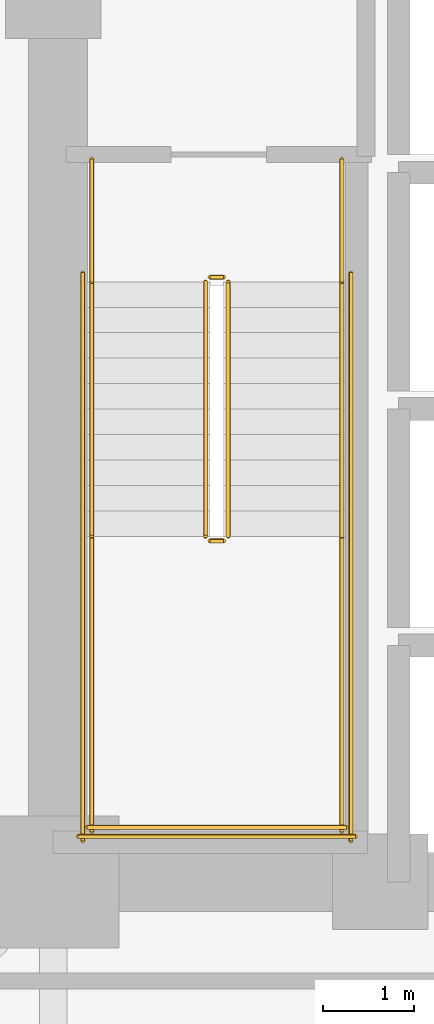
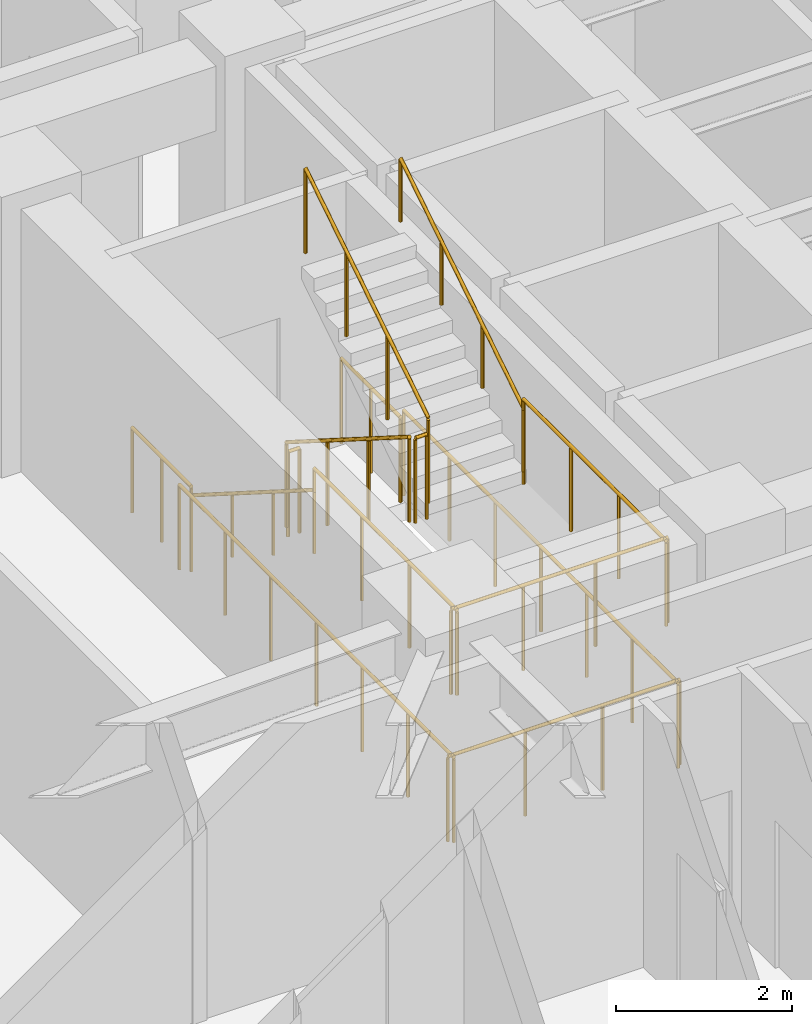
# One storey, part 10 of 11: 14 railings.
"""IFC4 building model written with IfcOpenShell, lengths in metres."""

from ifc_helpers import new_model, si_unit, direction, frame, origin, origin_2d, place, context, subcontext, project, spatial, circle, extrude, material, type_object, element, save


model = new_model("IFC4")

# Units and contexts
model_context = context("Model", 3, precision=1e-05, world=origin(), true_north=direction((0.0, 1.0)))
body_context = subcontext(model_context, "Body", "Model", "MODEL_VIEW")
ifc_project = project(units=[si_unit("LENGTHUNIT", "METRE"), si_unit("AREAUNIT", "SQUARE_METRE"), si_unit("VOLUMEUNIT", "CUBIC_METRE"), si_unit("PLANEANGLEUNIT", "RADIAN"), si_unit("MASSUNIT", "GRAM", prefix="KILO")], contexts=[model_context])

# Site, building, storey
site_placement = place(None, origin())
site = spatial("IfcSite", under=ifc_project, at=site_placement, CompositionType="ELEMENT")
building_placement = place(site_placement, origin())
building = spatial("IfcBuilding", under=site, at=building_placement, Name="Voryun Gate Residences", CompositionType="ELEMENT")
storey_placement = place(building_placement, frame((0.0, 0.0, 33.800048828125)))
storey = spatial("IfcBuildingStorey", under=building, at=storey_placement, Name="L07", CompositionType="ELEMENT", Elevation=33.800048828125)

# Railings
ifc_material_1 = material(Name="Painted steel", Category="steel")
railing_type_1 = type_object("IfcRailingType", Name="RAIL_STAIR_GUARD_1200", PredefinedType="GUARDRAIL", material=ifc_material_1)
railing_1_placement = place(storey_placement, frame((-17.52490234375, -0.800048828125, 0.17724609375)))
element("IfcRailing", 1, at=railing_1_placement, inside=storey, type_object=railing_type_1, Name="L07 ST-W1 stair guard 1", PredefinedType="GUARDRAIL", context=body_context, shape_type="SweptSolid", body=[
    extrude(circle(Radius=0.02392578125, at=origin_2d()), frame((0.0, 0.0, 1.17578125), z_axis=(0.0, -0.844908973607, 0.534910110503), x_axis=(1.0, 0.0, 0.0)), (0.0, 0.0, 1.0), 3.31396484375),
    extrude(circle(Radius=0.02099609375, at=origin_2d()), origin(), (0.0, 0.0, 1.0), 1.15185546875),
    extrude(circle(Radius=0.02099609375, at=origin_2d()), frame((0.0, -0.933349609375, 0.5908203125)), (0.0, 0.0, 1.0), 1.15185546875),
    extrude(circle(Radius=0.02099609375, at=origin_2d()), frame((0.0, -1.86669921875, 1.181884765625)), (0.0, 0.0, 1.0), 1.15185546875),
    extrude(circle(Radius=0.02099609375, at=origin_2d()), frame((0.0, -2.800048828125, 1.772705078125)), (0.0, 0.0, 1.0), 1.15185546875),
])
railing_2_placement = place(storey_placement, frame((-17.47509765625, -3.64990234375, 1.949951171875)))
element("IfcRailing", 2, at=railing_2_placement, inside=storey, type_object=railing_type_1, Name="L07 ST-W1 stair guard 2", PredefinedType="GUARDRAIL", context=body_context, shape_type="SweptSolid", body=[
    extrude(circle(Radius=0.02392578125, at=origin_2d()), frame((0.0, 0.0, 1.17578125), z_axis=(1.0, 0.0, 0.0), x_axis=(0.0, 1.0, 0.0)), (0.0, 0.0, 1.0), 0.150146484375),
    extrude(circle(Radius=0.02099609375, at=origin_2d()), origin(), (0.0, 0.0, 1.0), 1.15185546875),
    extrude(circle(Radius=0.02099609375, at=origin_2d()), frame((0.150146484375, 0.0, 0.0)), (0.0, 0.0, 1.0), 1.15185546875),
])
for number, where, name in (
    (3, (-18.77490234375, -3.60009765625, 1.949951171875), "L07 ST-W1 stair guard 3"),
    (4, (-16.02490234375, -3.60009765625, 1.949951171875), "L07 ST-W1 stair guard 4"),
):
    element("IfcRailing", number, at=place(storey_placement, frame(where)), inside=storey, type_object=railing_type_1, Name=name, PredefinedType="GUARDRAIL", context=body_context, shape_type="SweptSolid", body=[
        extrude(circle(Radius=0.02392578125, at=origin_2d()), frame((0.0, 0.0, 1.17578125), z_axis=(0.0, -1.0, 0.0), x_axis=(1.0, 0.0, 0.0)), (0.0, 0.0, 1.0), 3.25),
        extrude(circle(Radius=0.02099609375, at=origin_2d()), origin(), (0.0, 0.0, 1.0), 1.15185546875),
        extrude(circle(Radius=0.02099609375, at=origin_2d()), frame((0.0, -1.083251953125, 0.0)), (0.0, 0.0, 1.0), 1.15185546875),
        extrude(circle(Radius=0.02099609375, at=origin_2d()), frame((0.0, -2.166748046875, 0.0)), (0.0, 0.0, 1.0), 1.15185546875),
        extrude(circle(Radius=0.02099609375, at=origin_2d()), frame((0.0, -3.25, 0.0)), (0.0, 0.0, 1.0), 1.15185546875),
    ])
railing_3_placement = place(storey_placement, frame((-18.824951171875, -6.800048828125, 1.949951171875)))
element("IfcRailing", 5, at=railing_3_placement, inside=storey, type_object=railing_type_1, Name="L07 ST-W1 stair guard 5", PredefinedType="GUARDRAIL", context=body_context, shape_type="SweptSolid", body=[
    extrude(circle(Radius=0.02392578125, at=origin_2d()), frame((0.0, 0.0, 1.17578125), z_axis=(1.0, 0.0, 0.0), x_axis=(0.0, 1.0, 0.0)), (0.0, 0.0, 1.0), 2.849853515625),
    extrude(circle(Radius=0.02099609375, at=origin_2d()), origin(), (0.0, 0.0, 1.0), 1.15185546875),
    extrude(circle(Radius=0.02099609375, at=origin_2d()), frame((0.949951171875, 0.0, 0.0)), (0.0, 0.0, 1.0), 1.15185546875),
    extrude(circle(Radius=0.02099609375, at=origin_2d()), frame((1.89990234375, 0.0, 0.0)), (0.0, 0.0, 1.0), 1.15185546875),
    extrude(circle(Radius=0.02099609375, at=origin_2d()), frame((2.849853515625, 0.0, 0.0)), (0.0, 0.0, 1.0), 1.15185546875),
])
railing_4_placement = place(storey_placement, frame((-17.27490234375, -3.60009765625, 2.127197265625)))
element("IfcRailing", 6, at=railing_4_placement, inside=storey, type_object=railing_type_1, Name="L07 ST-W1 stair guard 6", PredefinedType="GUARDRAIL", context=body_context, shape_type="SweptSolid", body=[
    extrude(circle(Radius=0.02392578125, at=origin_2d()), frame((0.0, 0.0, 1.17578125), z_axis=(0.0, 0.844908973607, 0.534910110503), x_axis=(-1.0, 0.0, 0.0)), (0.0, 0.0, 1.0), 3.31396484375),
    extrude(circle(Radius=0.02099609375, at=origin_2d()), origin(), (0.0, 0.0, 1.0), 1.15185546875),
    extrude(circle(Radius=0.02099609375, at=origin_2d()), frame((0.0, 0.933349609375, 0.5908203125)), (0.0, 0.0, 1.0), 1.15185546875),
    extrude(circle(Radius=0.02099609375, at=origin_2d()), frame((0.0, 1.86669921875, 1.181884765625)), (0.0, 0.0, 1.0), 1.15185546875),
    extrude(circle(Radius=0.02099609375, at=origin_2d()), frame((0.0, 2.800048828125, 1.772705078125)), (0.0, 0.0, 1.0), 1.15185546875),
])
railing_5_placement = place(storey_placement, frame((-17.47509765625, -0.75, 0.0)))
element("IfcRailing", 7, at=railing_5_placement, inside=storey, type_object=railing_type_1, Name="L07 ST-W1 stair guard 7", PredefinedType="GUARDRAIL", context=body_context, shape_type="SweptSolid", body=[
    extrude(circle(Radius=0.02392578125, at=origin_2d()), frame((0.0, 0.0, 1.17578125), z_axis=(1.0, 0.0, 0.0), x_axis=(0.0, 1.0, 0.0)), (0.0, 0.0, 1.0), 0.150146484375),
    extrude(circle(Radius=0.02099609375, at=origin_2d()), origin(), (0.0, 0.0, 1.0), 1.15185546875),
    extrude(circle(Radius=0.02099609375, at=origin_2d()), frame((0.150146484375, 0.0, 0.0)), (0.0, 0.0, 1.0), 1.15185546875),
])
for number, where, name in (
    (8, (-18.77490234375, 0.550048828125, 0.0), "L07 ST-W1 stair guard 8"),
    (9, (-16.02490234375, 0.550048828125, 0.0), "L07 ST-W1 stair guard 9"),
):
    element("IfcRailing", number, at=place(storey_placement, frame(where)), inside=storey, type_object=railing_type_1, Name=name, PredefinedType="GUARDRAIL", context=body_context, shape_type="SweptSolid", body=[
        extrude(circle(Radius=0.02392578125, at=origin_2d()), frame((0.0, 0.0, 1.17578125), z_axis=(0.0, -1.0, 0.0), x_axis=(1.0, 0.0, 0.0)), (0.0, 0.0, 1.0), 1.35009765625),
        extrude(circle(Radius=0.02099609375, at=origin_2d()), origin(), (0.0, 0.0, 1.0), 1.15185546875),
        extrude(circle(Radius=0.02099609375, at=origin_2d()), frame((0.0, -0.675048828125, 0.0)), (0.0, 0.0, 1.0), 1.15185546875),
        extrude(circle(Radius=0.02099609375, at=origin_2d()), frame((0.0, -1.35009765625, 0.0)), (0.0, 0.0, 1.0), 1.15185546875),
    ])
for number, where, name in (
    (10, (-18.875, -0.699951171875, 0.0), "L07 ST-W1 stair guard 10"),
    (11, (-15.925048828125, -0.699951171875, 0.0), "L07 ST-W1 stair guard 11"),
):
    element("IfcRailing", number, at=place(storey_placement, frame(where)), inside=storey, type_object=railing_type_1, Name=name, PredefinedType="GUARDRAIL", context=body_context, shape_type="SweptSolid", body=[
        extrude(circle(Radius=0.02392578125, at=origin_2d()), frame((0.0, 0.0, 1.17578125), z_axis=(0.0, -1.0, 0.0), x_axis=(1.0, 0.0, 0.0)), (0.0, 0.0, 1.0), 6.25),
        extrude(circle(Radius=0.02099609375, at=origin_2d()), origin(), (0.0, 0.0, 1.0), 1.15185546875),
        extrude(circle(Radius=0.02099609375, at=origin_2d()), frame((0.0, -1.041748046875, 0.0)), (0.0, 0.0, 1.0), 1.15185546875),
        extrude(circle(Radius=0.02099609375, at=origin_2d()), frame((0.0, -2.083251953125, 0.0)), (0.0, 0.0, 1.0), 1.15185546875),
        extrude(circle(Radius=0.02099609375, at=origin_2d()), frame((0.0, -3.125, 0.0)), (0.0, 0.0, 1.0), 1.15185546875),
        extrude(circle(Radius=0.02099609375, at=origin_2d()), frame((0.0, -4.166748046875, 0.0)), (0.0, 0.0, 1.0), 1.15185546875),
        extrude(circle(Radius=0.02099609375, at=origin_2d()), frame((0.0, -5.208251953125, 0.0)), (0.0, 0.0, 1.0), 1.15185546875),
        extrude(circle(Radius=0.02099609375, at=origin_2d()), frame((0.0, -6.25, 0.0)), (0.0, 0.0, 1.0), 1.15185546875),
    ])
railing_6_placement = place(storey_placement, frame((-18.925048828125, -6.89990234375, 0.0)))
element("IfcRailing", 12, at=railing_6_placement, inside=storey, type_object=railing_type_1, Name="L07 ST-W1 stair guard 12", PredefinedType="GUARDRAIL", context=body_context, shape_type="SweptSolid", body=[
    extrude(circle(Radius=0.02392578125, at=origin_2d()), frame((0.0, 0.0, 1.17578125), z_axis=(1.0, 0.0, 0.0), x_axis=(0.0, 1.0, 0.0)), (0.0, 0.0, 1.0), 3.050048828125),
    extrude(circle(Radius=0.02099609375, at=origin_2d()), origin(), (0.0, 0.0, 1.0), 1.15185546875),
    extrude(circle(Radius=0.02099609375, at=origin_2d()), frame((1.0166015625, 0.0, 0.0)), (0.0, 0.0, 1.0), 1.15185546875),
    extrude(circle(Radius=0.02099609375, at=origin_2d()), frame((2.033447265625, 0.0, 0.0)), (0.0, 0.0, 1.0), 1.15185546875),
    extrude(circle(Radius=0.02099609375, at=origin_2d()), frame((3.050048828125, 0.0, 0.0)), (0.0, 0.0, 1.0), 1.15185546875),
])
ifc_material_2 = material(Name="Painted steel", Category="steel")
railing_type_2 = type_object("IfcRailingType", Name="RAIL_STAIR_HANDRAIL_900", PredefinedType="HANDRAIL", material=ifc_material_2)
railing_7_placement = place(storey_placement, frame((-18.77490234375, -0.800048828125, 0.17724609375)))
element("IfcRailing", 13, at=railing_7_placement, inside=storey, type_object=railing_type_2, Name="L07 ST-W1 stair handrail 1", PredefinedType="HANDRAIL", context=body_context, shape_type="SweptSolid", body=[
    extrude(circle(Radius=0.02392578125, at=origin_2d()), frame((0.0, 0.0, 0.8759765625), z_axis=(0.0, -0.844908973607, 0.534910110503), x_axis=(1.0, 0.0, 0.0)), (0.0, 0.0, 1.0), 3.31396484375),
    extrude(circle(Radius=0.02099609375, at=origin_2d()), origin(), (0.0, 0.0, 1.0), 0.851806640625),
    extrude(circle(Radius=0.02099609375, at=origin_2d()), frame((0.0, -0.933349609375, 0.5908203125)), (0.0, 0.0, 1.0), 0.851806640625),
    extrude(circle(Radius=0.02099609375, at=origin_2d()), frame((0.0, -1.86669921875, 1.181884765625)), (0.0, 0.0, 1.0), 0.851806640625),
    extrude(circle(Radius=0.02099609375, at=origin_2d()), frame((0.0, -2.800048828125, 1.772705078125)), (0.0, 0.0, 1.0), 0.851806640625),
])
railing_8_placement = place(storey_placement, frame((-16.02490234375, -3.60009765625, 2.127197265625)))
element("IfcRailing", 14, at=railing_8_placement, inside=storey, type_object=railing_type_2, Name="L07 ST-W1 stair handrail 2", PredefinedType="HANDRAIL", context=body_context, shape_type="SweptSolid", body=[
    extrude(circle(Radius=0.02392578125, at=origin_2d()), frame((0.0, 0.0, 0.8759765625), z_axis=(0.0, 0.844908973607, 0.534910110503), x_axis=(-1.0, 0.0, 0.0)), (0.0, 0.0, 1.0), 3.31396484375),
    extrude(circle(Radius=0.02099609375, at=origin_2d()), origin(), (0.0, 0.0, 1.0), 0.851806640625),
    extrude(circle(Radius=0.02099609375, at=origin_2d()), frame((0.0, 0.933349609375, 0.5908203125)), (0.0, 0.0, 1.0), 0.851806640625),
    extrude(circle(Radius=0.02099609375, at=origin_2d()), frame((0.0, 1.86669921875, 1.181884765625)), (0.0, 0.0, 1.0), 0.851806640625),
    extrude(circle(Radius=0.02099609375, at=origin_2d()), frame((0.0, 2.800048828125, 1.772705078125)), (0.0, 0.0, 1.0), 0.851806640625),
])

save(model, "model.ifc")
